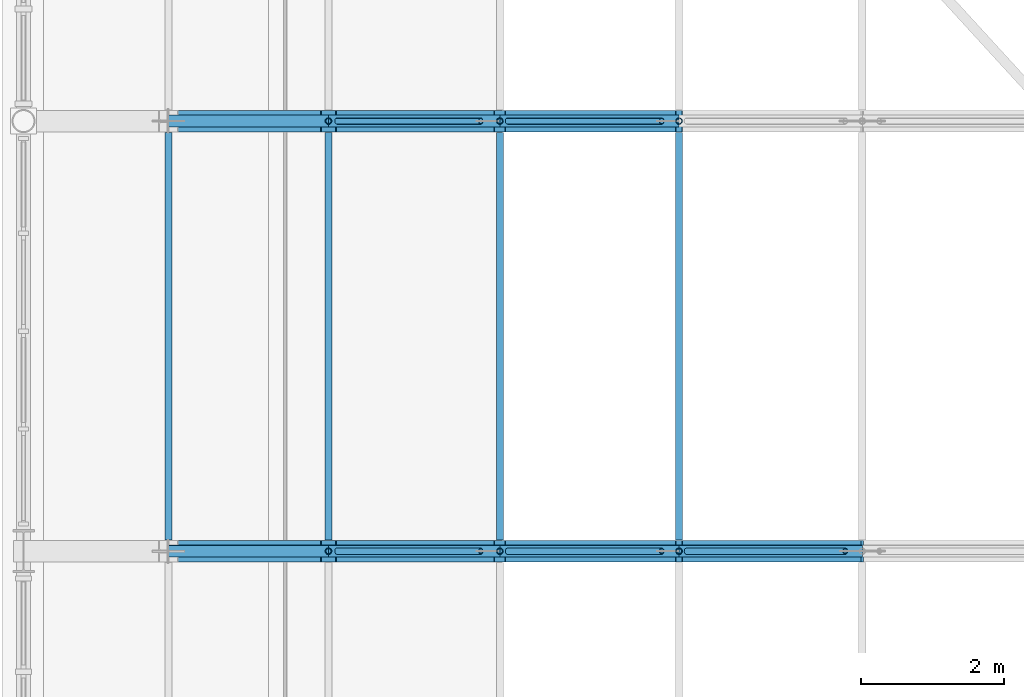
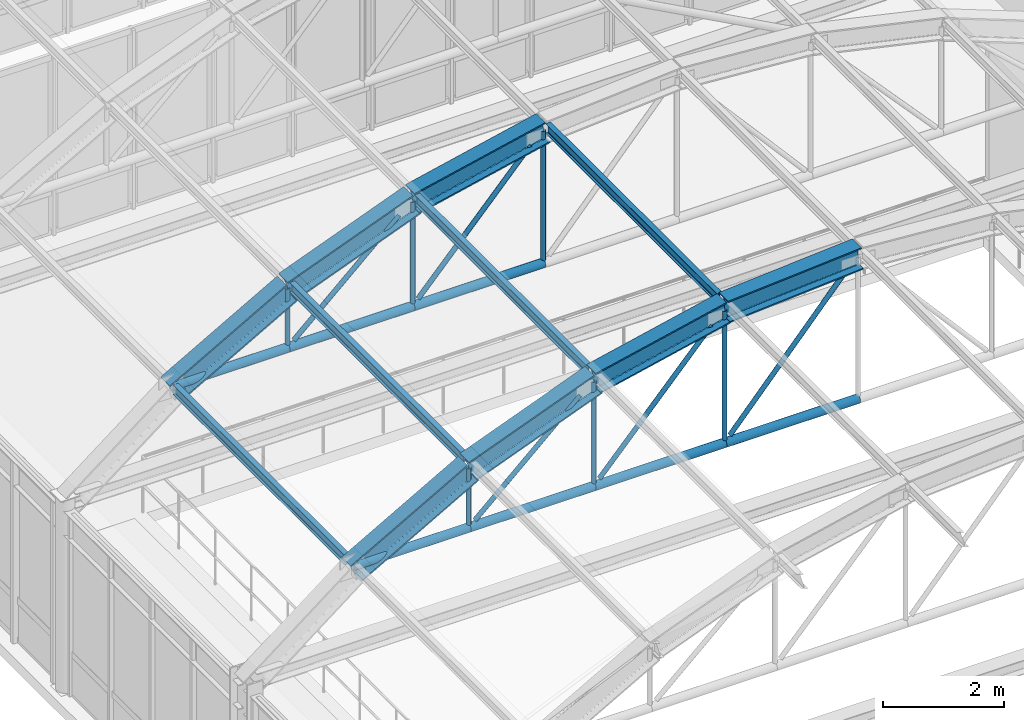
# One storey, part 45 of 148: 18 members, 11 beams.
"""IFC4 building model written with IfcOpenShell, lengths in metres."""

from ifc_helpers import new_model, si_unit, direction, frame, origin, origin_2d, place, context, subcontext, project, spatial, hollow_circle, i_section, extrude, material, material_profile, profile_set, type_object, element, save


model = new_model("IFC4")

# Units and contexts
model_context = context("Model", 3, precision=1e-05, world=origin(), true_north=direction((0.0, 1.0)))
body_context = subcontext(model_context, "Body", "Model", "MODEL_VIEW")
ifc_project = project(units=[si_unit("LENGTHUNIT", "METRE"), si_unit("AREAUNIT", "SQUARE_METRE"), si_unit("VOLUMEUNIT", "CUBIC_METRE"), si_unit("PLANEANGLEUNIT", "RADIAN"), si_unit("MASSUNIT", "GRAM", prefix="KILO"), si_unit("THERMODYNAMICTEMPERATUREUNIT", "KELVIN"), si_unit("POWERUNIT", "WATT")], contexts=[model_context])

# Site, building, storey
site_placement = place(None, origin())
site = spatial("IfcSite", under=ifc_project, at=site_placement, CompositionType="ELEMENT")
building_placement = place(site_placement, origin())
building = spatial("IfcBuilding", under=site, at=building_placement, Name="Solvatero Civic Police Headquarters", CompositionType="ELEMENT")
storey_placement = place(building_placement, frame((0.0, 0.0, 5.10009765625)))
storey = spatial("IfcBuildingStorey", under=building, at=storey_placement, Name="L01", CompositionType="ELEMENT", Elevation=5.10009765625)

# Beams
ifc_material = material(Name="Steel S355", Category="steel")
ifc_material_profile_1 = material_profile(ifc_material, i_section(OverallWidth=0.300048828125, OverallDepth=0.449951171875, WebThickness=0.013916015625, FlangeThickness=0.02587890625, FilletRadius=0.027099609375, at=origin_2d()), Name="HEB 450")
ifc_profile_set_1 = profile_set([ifc_material_profile_1], Name="Steel S355")
beam_type_1 = type_object("IfcBeamType", Name="BM-ST-HEB450", PredefinedType="BEAM", material=ifc_profile_set_1)
for number, where, z_axis, x_axis, name in (
    (1, (100.822509765625, 28.800048828125, 5.330322265625), (0.870765086908, 0.0, 0.491699261156), (0.0, 1.0, 0.0), "VLT1 Tied-Arch Vault Top Chord F5.2"),
    (2, (103.053466796875, 28.800048828125, 6.619873046875), (0.933355429458, 0.0, 0.358953537802), (0.0, 1.0, 0.0), "VLT1 Tied-Arch Vault Top Chord F5.3"),
):
    element("IfcBeam", number, at=place(storey_placement, frame(where, z_axis=z_axis, x_axis=x_axis)), inside=storey, type_object=beam_type_1, Name=name, PredefinedType="BEAM", context=body_context, shape_type="SweptSolid", body=[
        extrude(i_section(OverallWidth=0.300048828125, OverallDepth=0.449951171875, WebThickness=0.013916015625, FlangeThickness=0.02587890625, FilletRadius=0.027099609375, at=origin_2d()), origin(), (0.0, 0.0, 1.0), 2.56201171875),
    ])
beam_1_placement = place(storey_placement, frame((105.44482421875, 28.800048828125, 7.5576171875), z_axis=(0.975854055758, 0.0, 0.218423583574), x_axis=(0.0, 1.0, 0.0)))
element("IfcBeam", 3, at=beam_1_placement, inside=storey, type_object=beam_type_1, Name="VLT1 Tied-Arch Vault Top Chord F5.4", PredefinedType="BEAM", context=body_context, shape_type="SweptSolid", body=[
    extrude(i_section(OverallWidth=0.300048828125, OverallDepth=0.449951171875, WebThickness=0.013916015625, FlangeThickness=0.02587890625, FilletRadius=0.027099609375, at=origin_2d()), origin(), (0.0, 0.0, 1.0), 2.561767578125),
])
for number, where, z_axis, x_axis, name in (
    (4, (107.94482421875, 28.800048828125, 8.1259765625), (0.997304549883, 0.0, 0.073373256584), (0.0, 1.0, 0.0), "VLT1 Tied-Arch Vault Top Chord F5.5"),
    (5, (100.822509765625, 34.800048828125, 5.330322265625), (0.870765086908, 0.0, 0.491699261156), (0.0, 1.0, 0.0), "VLT1 Tied-Arch Vault Top Chord F6.2"),
    (6, (103.053466796875, 34.800048828125, 6.619873046875), (0.933355429458, 0.0, 0.358953537802), (0.0, 1.0, 0.0), "VLT1 Tied-Arch Vault Top Chord F6.3"),
):
    element("IfcBeam", number, at=place(storey_placement, frame(where, z_axis=z_axis, x_axis=x_axis)), inside=storey, type_object=beam_type_1, Name=name, PredefinedType="BEAM", context=body_context, shape_type="SweptSolid", body=[
        extrude(i_section(OverallWidth=0.300048828125, OverallDepth=0.449951171875, WebThickness=0.013916015625, FlangeThickness=0.02587890625, FilletRadius=0.027099609375, at=origin_2d()), origin(), (0.0, 0.0, 1.0), 2.56201171875),
    ])
beam_2_placement = place(storey_placement, frame((105.44482421875, 34.800048828125, 7.5576171875), z_axis=(0.975854055758, 0.0, 0.218423583574), x_axis=(0.0, 1.0, 0.0)))
element("IfcBeam", 7, at=beam_2_placement, inside=storey, type_object=beam_type_1, Name="VLT1 Tied-Arch Vault Top Chord F6.4", PredefinedType="BEAM", context=body_context, shape_type="SweptSolid", body=[
    extrude(i_section(OverallWidth=0.300048828125, OverallDepth=0.449951171875, WebThickness=0.013916015625, FlangeThickness=0.02587890625, FilletRadius=0.027099609375, at=origin_2d()), origin(), (0.0, 0.0, 1.0), 2.561767578125),
])
ifc_material_profile_2 = material_profile(ifc_material, i_section(OverallWidth=0.10009765625, OverallDepth=0.199951171875, WebThickness=0.005615234375, FlangeThickness=0.008544921875, FilletRadius=0.011962890625, at=origin_2d()), Name="IPE 200")
ifc_profile_set_2 = profile_set([ifc_material_profile_2], Name="Steel S355")
beam_type_2 = type_object("IfcBeamType", Name="BM-ST-IPE200", PredefinedType="JOIST", material=ifc_profile_set_2)
for number, where, z_axis, x_axis, name in (
    (8, (100.822509765625, 28.9580078125, 5.4326171875), (0.0, 1.0, 0.0), (-1.0, 0.0, 0.0), "VLT1 Vault Roof Purlin B5.1"),
    (9, (103.053466796875, 28.9580078125, 6.721435546875), (0.0, 1.0, 0.0), (-1.0, 0.0, 0.0), "VLT1 Vault Roof Purlin B5.2"),
    (10, (105.44482421875, 28.9580078125, 7.65576171875), (0.0, 1.0, 0.0), (-1.0, 0.0, 0.0), "VLT1 Vault Roof Purlin B5.3"),
    (11, (107.94482421875, 28.9580078125, 8.222900390625), (0.0, 1.0, 0.0), (-1.0, 0.0, 0.0), "VLT1 Vault Roof Purlin B5.4"),
):
    element("IfcBeam", number, at=place(storey_placement, frame(where, z_axis=z_axis, x_axis=x_axis)), inside=storey, type_object=beam_type_2, Name=name, PredefinedType="JOIST", context=body_context, shape_type="SweptSolid", body=[
        extrude(i_section(OverallWidth=0.10009765625, OverallDepth=0.199951171875, WebThickness=0.005615234375, FlangeThickness=0.008544921875, FilletRadius=0.011962890625, at=origin_2d()), origin(), (0.0, 0.0, 1.0), 5.68408203125),
    ])

# Members
ifc_material_profile_3 = material_profile(ifc_material, hollow_circle(Radius=0.04443359375, WallThickness=0.00634765625, at=origin_2d()), Name="CHS 88.9x6.3")
ifc_profile_set_3 = profile_set([ifc_material_profile_3], Name="Steel S355")
member_type_1 = type_object("IfcMemberType", Name="MB-HNG-CHS89", PredefinedType="STRUT", material=ifc_profile_set_3)
member_1_placement = place(storey_placement, frame((103.171875, 28.800048828125, 5.49951171875), z_axis=(0.739076960519, 0.0, 0.673620996132), x_axis=(0.0, 1.0, 0.0)))
element("IfcMember", 12, at=member_1_placement, inside=storey, type_object=member_type_1, Name="VLT1 Vault Truss Diagonal Web F5.2", PredefinedType="STRUT", context=body_context, shape_type="SweptSolid", body=[
    extrude(hollow_circle(Radius=0.04443359375, WallThickness=0.00634765625, at=origin_2d()), origin(), (0.0, 0.0, 1.0), 2.71533203125),
])
member_2_placement = place(storey_placement, frame((105.552734375, 28.800048828125, 5.509765625), z_axis=(0.674096872288, 0.0, 0.73864294945), x_axis=(0.0, 1.0, 0.0)))
element("IfcMember", 13, at=member_2_placement, inside=storey, type_object=member_type_1, Name="VLT1 Vault Truss Diagonal Web F5.3", PredefinedType="STRUT", context=body_context, shape_type="SweptSolid", body=[
    extrude(hollow_circle(Radius=0.04443359375, WallThickness=0.00634765625, at=origin_2d()), origin(), (0.0, 0.0, 1.0), 3.1884765625),
])
member_3_placement = place(storey_placement, frame((108.050048828125, 28.800048828125, 5.51220703125), z_axis=(0.657605371239, 0.0, 0.753362579186), x_axis=(0.0, 1.0, 0.0)))
element("IfcMember", 14, at=member_3_placement, inside=storey, type_object=member_type_1, Name="VLT1 Vault Truss Diagonal Web F5.4", PredefinedType="STRUT", context=body_context, shape_type="SweptSolid", body=[
    extrude(hollow_circle(Radius=0.04443359375, WallThickness=0.00634765625, at=origin_2d()), origin(), (0.0, 0.0, 1.0), 3.365478515625),
])
member_4_placement = place(storey_placement, frame((103.053466796875, 28.800048828125, 5.431640625), z_axis=(0.0, 0.0, 1.0), x_axis=(1.0, 0.0, 0.0)))
element("IfcMember", 15, at=member_4_placement, inside=storey, type_object=member_type_1, Name="VLT1 Vault Vertical Hanger F5.2", PredefinedType="STRUT", context=body_context, shape_type="SweptSolid", body=[
    extrude(hollow_circle(Radius=0.04443359375, WallThickness=0.00634765625, at=origin_2d()), origin(), (0.0, 0.0, 1.0), 1.169677734375),
])
member_5_placement = place(storey_placement, frame((105.44482421875, 28.800048828125, 5.431640625), z_axis=(0.0, 0.0, 1.0), x_axis=(1.0, 0.0, 0.0)))
element("IfcMember", 16, at=member_5_placement, inside=storey, type_object=member_type_1, Name="VLT1 Vault Vertical Hanger F5.3", PredefinedType="STRUT", context=body_context, shape_type="SweptSolid", body=[
    extrude(hollow_circle(Radius=0.04443359375, WallThickness=0.00634765625, at=origin_2d()), origin(), (0.0, 0.0, 1.0), 2.08935546875),
])
member_6_placement = place(storey_placement, frame((107.94482421875, 28.800048828125, 5.431640625), z_axis=(0.0, 0.0, 1.0), x_axis=(1.0, 0.0, 0.0)))
element("IfcMember", 17, at=member_6_placement, inside=storey, type_object=member_type_1, Name="VLT1 Vault Vertical Hanger F5.4", PredefinedType="STRUT", context=body_context, shape_type="SweptSolid", body=[
    extrude(hollow_circle(Radius=0.04443359375, WallThickness=0.00634765625, at=origin_2d()), origin(), (0.0, 0.0, 1.0), 2.649169921875),
])
member_7_placement = place(storey_placement, frame((103.171875, 34.800048828125, 5.49951171875), z_axis=(0.739076960519, 0.0, 0.673620996132), x_axis=(0.0, 1.0, 0.0)))
element("IfcMember", 18, at=member_7_placement, inside=storey, type_object=member_type_1, Name="VLT1 Vault Truss Diagonal Web F6.2", PredefinedType="STRUT", context=body_context, shape_type="SweptSolid", body=[
    extrude(hollow_circle(Radius=0.04443359375, WallThickness=0.00634765625, at=origin_2d()), origin(), (0.0, 0.0, 1.0), 2.71533203125),
])
member_8_placement = place(storey_placement, frame((105.552734375, 34.800048828125, 5.509765625), z_axis=(0.674096872288, 0.0, 0.73864294945), x_axis=(0.0, 1.0, 0.0)))
element("IfcMember", 19, at=member_8_placement, inside=storey, type_object=member_type_1, Name="VLT1 Vault Truss Diagonal Web F6.3", PredefinedType="STRUT", context=body_context, shape_type="SweptSolid", body=[
    extrude(hollow_circle(Radius=0.04443359375, WallThickness=0.00634765625, at=origin_2d()), origin(), (0.0, 0.0, 1.0), 3.1884765625),
])
member_9_placement = place(storey_placement, frame((103.053466796875, 34.800048828125, 5.431640625), z_axis=(0.0, 0.0, 1.0), x_axis=(1.0, 0.0, 0.0)))
element("IfcMember", 20, at=member_9_placement, inside=storey, type_object=member_type_1, Name="VLT1 Vault Vertical Hanger F6.2", PredefinedType="STRUT", context=body_context, shape_type="SweptSolid", body=[
    extrude(hollow_circle(Radius=0.04443359375, WallThickness=0.00634765625, at=origin_2d()), origin(), (0.0, 0.0, 1.0), 1.169677734375),
])
member_10_placement = place(storey_placement, frame((105.44482421875, 34.800048828125, 5.431640625), z_axis=(0.0, 0.0, 1.0), x_axis=(1.0, 0.0, 0.0)))
element("IfcMember", 21, at=member_10_placement, inside=storey, type_object=member_type_1, Name="VLT1 Vault Vertical Hanger F6.3", PredefinedType="STRUT", context=body_context, shape_type="SweptSolid", body=[
    extrude(hollow_circle(Radius=0.04443359375, WallThickness=0.00634765625, at=origin_2d()), origin(), (0.0, 0.0, 1.0), 2.08935546875),
])
member_11_placement = place(storey_placement, frame((107.94482421875, 34.800048828125, 5.431640625), z_axis=(0.0, 0.0, 1.0), x_axis=(1.0, 0.0, 0.0)))
element("IfcMember", 22, at=member_11_placement, inside=storey, type_object=member_type_1, Name="VLT1 Vault Vertical Hanger F6.4", PredefinedType="STRUT", context=body_context, shape_type="SweptSolid", body=[
    extrude(hollow_circle(Radius=0.04443359375, WallThickness=0.00634765625, at=origin_2d()), origin(), (0.0, 0.0, 1.0), 2.649169921875),
])
ifc_material_profile_4 = material_profile(ifc_material, hollow_circle(Radius=0.084228515625, WallThickness=0.010009765625, at=origin_2d()), Name="CHS 168.3x10.0")
ifc_profile_set_4 = profile_set([ifc_material_profile_4], Name="Steel S355")
member_type_2 = type_object("IfcMemberType", Name="MB-TIE-CHS168", PredefinedType="CHORD", material=ifc_profile_set_4)
member_12_placement = place(storey_placement, frame((100.822509765625, 28.800048828125, 5.3916015625), z_axis=(1.0, 0.0, 0.0), x_axis=(0.0, 1.0, 0.0)))
element("IfcMember", 23, at=member_12_placement, inside=storey, type_object=member_type_2, Name="VLT1 Vault Horizontal Tie Chord F5.1", PredefinedType="CHORD", context=body_context, shape_type="SweptSolid", body=[
    extrude(hollow_circle(Radius=0.084228515625, WallThickness=0.010009765625, at=origin_2d()), origin(), (0.0, 0.0, 1.0), 2.23095703125),
])
member_13_placement = place(storey_placement, frame((103.053466796875, 28.800048828125, 5.3916015625), z_axis=(1.0, 0.0, 0.0), x_axis=(0.0, 1.0, 0.0)))
element("IfcMember", 24, at=member_13_placement, inside=storey, type_object=member_type_2, Name="VLT1 Vault Horizontal Tie Chord F5.2", PredefinedType="CHORD", context=body_context, shape_type="SweptSolid", body=[
    extrude(hollow_circle(Radius=0.084228515625, WallThickness=0.010009765625, at=origin_2d()), origin(), (0.0, 0.0, 1.0), 2.391357421875),
])
member_14_placement = place(storey_placement, frame((105.44482421875, 28.800048828125, 5.3916015625), z_axis=(1.0, 0.0, 0.0), x_axis=(0.0, 1.0, 0.0)))
element("IfcMember", 25, at=member_14_placement, inside=storey, type_object=member_type_2, Name="VLT1 Vault Horizontal Tie Chord F5.3", PredefinedType="CHORD", context=body_context, shape_type="SweptSolid", body=[
    extrude(hollow_circle(Radius=0.084228515625, WallThickness=0.010009765625, at=origin_2d()), origin(), (0.0, 0.0, 1.0), 2.5),
])
member_15_placement = place(storey_placement, frame((107.94482421875, 28.800048828125, 5.3916015625), z_axis=(1.0, 0.0, 0.0), x_axis=(0.0, 1.0, 0.0)))
element("IfcMember", 26, at=member_15_placement, inside=storey, type_object=member_type_2, Name="VLT1 Vault Horizontal Tie Chord F5.4", PredefinedType="CHORD", context=body_context, shape_type="SweptSolid", body=[
    extrude(hollow_circle(Radius=0.084228515625, WallThickness=0.010009765625, at=origin_2d()), origin(), (0.0, 0.0, 1.0), 2.55517578125),
])
member_16_placement = place(storey_placement, frame((100.822509765625, 34.800048828125, 5.3916015625), z_axis=(1.0, 0.0, 0.0), x_axis=(0.0, 1.0, 0.0)))
element("IfcMember", 27, at=member_16_placement, inside=storey, type_object=member_type_2, Name="VLT1 Vault Horizontal Tie Chord F6.1", PredefinedType="CHORD", context=body_context, shape_type="SweptSolid", body=[
    extrude(hollow_circle(Radius=0.084228515625, WallThickness=0.010009765625, at=origin_2d()), origin(), (0.0, 0.0, 1.0), 2.23095703125),
])
member_17_placement = place(storey_placement, frame((103.053466796875, 34.800048828125, 5.3916015625), z_axis=(1.0, 0.0, 0.0), x_axis=(0.0, 1.0, 0.0)))
element("IfcMember", 28, at=member_17_placement, inside=storey, type_object=member_type_2, Name="VLT1 Vault Horizontal Tie Chord F6.2", PredefinedType="CHORD", context=body_context, shape_type="SweptSolid", body=[
    extrude(hollow_circle(Radius=0.084228515625, WallThickness=0.010009765625, at=origin_2d()), origin(), (0.0, 0.0, 1.0), 2.391357421875),
])
member_18_placement = place(storey_placement, frame((105.44482421875, 34.800048828125, 5.3916015625), z_axis=(1.0, 0.0, 0.0), x_axis=(0.0, 1.0, 0.0)))
element("IfcMember", 29, at=member_18_placement, inside=storey, type_object=member_type_2, Name="VLT1 Vault Horizontal Tie Chord F6.3", PredefinedType="CHORD", context=body_context, shape_type="SweptSolid", body=[
    extrude(hollow_circle(Radius=0.084228515625, WallThickness=0.010009765625, at=origin_2d()), origin(), (0.0, 0.0, 1.0), 2.5),
])

save(model, "model.ifc")
